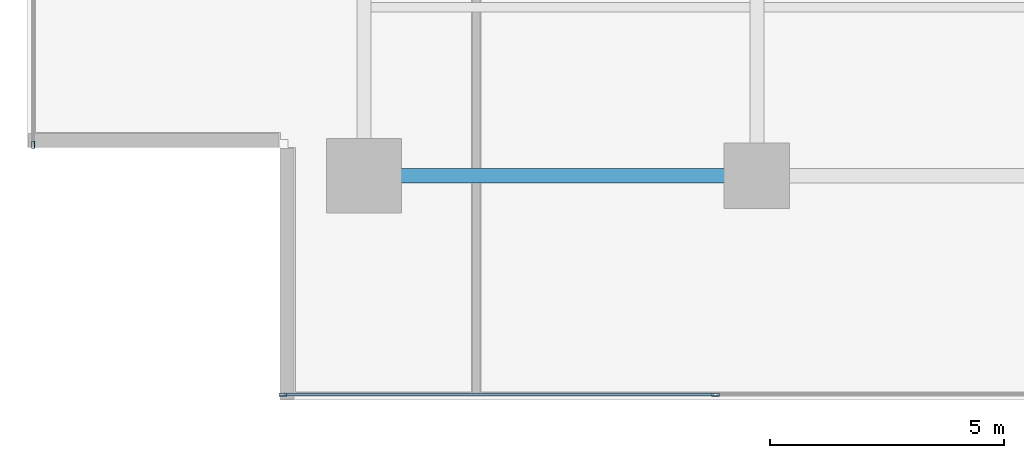
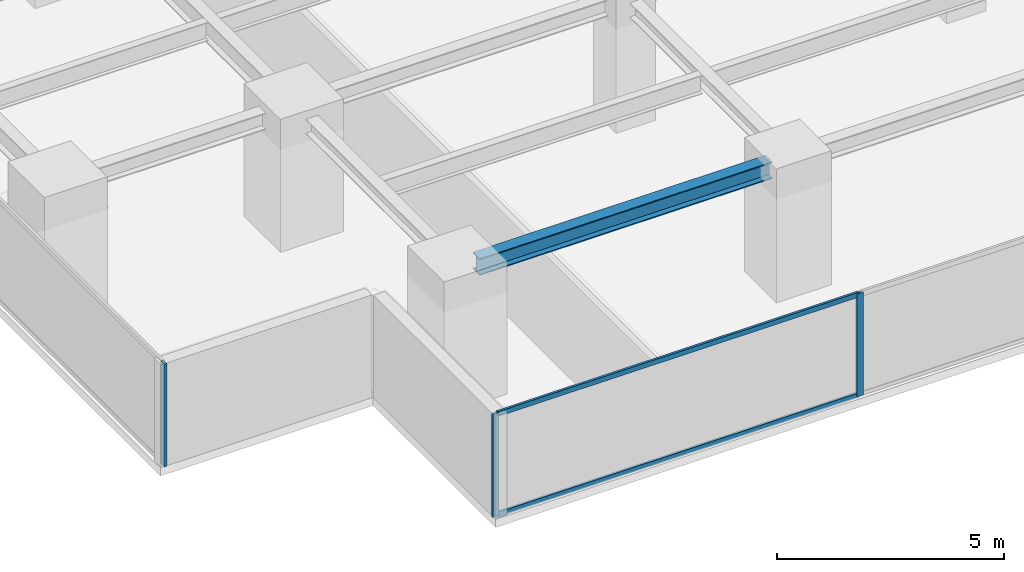
# One storey, part 2 of 27: 5 members, 1 beam, 2 elements without a shape of their own.
"""IFC4 building model written with IfcOpenShell, lengths in metres."""

from ifc_helpers import new_model, si_unit, direction, frame, origin, origin_2d, place, context, subcontext, project, spatial, hollow_rectangle, i_section, extrude, source, transform, mapped, material, layer, layer_set, material_profile, profile_set, type_object, element, aggregate, save


model = new_model("IFC4")

# Units and contexts
model_context = context("Model", 3, precision=1e-05, world=origin(), true_north=direction((0.0, 1.0)))
body_context = subcontext(model_context, "Body", "Model", "MODEL_VIEW")
ifc_project = project(units=[si_unit("LENGTHUNIT", "METRE"), si_unit("AREAUNIT", "SQUARE_METRE"), si_unit("VOLUMEUNIT", "CUBIC_METRE"), si_unit("PLANEANGLEUNIT", "RADIAN"), si_unit("MASSUNIT", "GRAM", prefix="KILO")], contexts=[model_context])

# Site, building, storey
site_placement = place(None, origin())
site = spatial("IfcSite", under=ifc_project, at=site_placement, CompositionType="ELEMENT")
building_placement = place(site_placement, origin())
building = spatial("IfcBuilding", under=site, at=building_placement, Name="Sumidabori Civic Tower", CompositionType="ELEMENT")
storey_placement = place(building_placement, frame((0.0, 0.0, 156.800048828125)))
storey = spatial("IfcBuildingStorey", under=building, at=storey_placement, Name="L40", CompositionType="ELEMENT", Elevation=156.800048828125)

# Beam
ifc_material_1 = material(Name="Steel SN490", Category="steel")
ifc_material_profile_1 = material_profile(ifc_material_1, i_section(OverallWidth=0.300048828125, OverallDepth=0.449951171875, WebThickness=0.013916015625, FlangeThickness=0.02587890625, at=origin_2d()), Name="HE 450 B")
ifc_profile_set_1 = profile_set([ifc_material_profile_1], Name="Steel SN490")
beam_type = type_object("IfcBeamType", Name="BM-GIRD-450", PredefinedType="BEAM", material=ifc_profile_set_1)
shared_shape_1 = source(origin(), body_context, "Body", "SweptSolid", [
    extrude(i_section(OverallWidth=0.300048828125, OverallDepth=0.449951171875, WebThickness=0.013916015625, FlangeThickness=0.02587890625, at=origin_2d()), origin(), (0.0, 0.0, 1.0), 7.440185546875),
])
beam_placement = place(storey_placement, frame((-16.320068359375, -18.0, 3.155029296875), z_axis=(1.0, 0.0, 0.0), x_axis=(0.0, 1.0, 0.0)))
element("IfcBeam", 1, at=beam_placement, inside=storey, type_object=beam_type, Name="Primary Girder L40 GX-01", PredefinedType="BEAM", context=body_context, shape_type="MappedRepresentation", body=[
    mapped(shared_shape_1, transform((0.0, 0.0, 0.0), x_axis=(1.0, 0.0, 0.0), y_axis=(0.0, 1.0, 0.0), z_axis=(0.0, 0.0, 1.0), scale=1.0)),
])

# Curtain wall, members
ifc_material_2 = material(Name="Anodised Bronze Aluminium AW-6063-T6", Category="aluminium")
ifc_layer = layer(ifc_material_2, 0.179931640625, Name="Anodised Bronze Aluminium AW-6063-T6")
ifc_layer_set = layer_set([ifc_layer], Name="Anodised Bronze Aluminium AW-6063-T6")
curtain_wall_type = type_object("IfcCurtainWallType", Name="CW-SYS-3", PredefinedType="NOTDEFINED", material=ifc_layer_set)
curtain_wall_1_placement = place(storey_placement, origin())
curtain_wall_1 = element("IfcCurtainWall", 2, at=curtain_wall_1_placement, inside=storey, type_object=curtain_wall_type, Name="Curtain Wall CW:L40:R01", PredefinedType="NOTDEFINED")
ifc_material_profile_2 = material_profile(ifc_material_2, hollow_rectangle(XDim=0.06494140625, YDim=0.159912109375, WallThickness=0.0048828125, at=origin_2d()), Name="ALU MULLION 160x65")
ifc_profile_set_2 = profile_set([ifc_material_profile_2], Name="Anodised Bronze Aluminium AW-6063-T6")
member_type_1 = type_object("IfcMemberType", Name="CW-MUL-160", PredefinedType="MULLION", material=ifc_profile_set_2)
shared_shape_2 = source(origin(), body_context, "Body", "SweptSolid", [
    extrude(hollow_rectangle(XDim=0.06494140625, YDim=0.159912109375, WallThickness=0.0048828125, at=origin_2d()), origin(), (0.0, 0.0, 1.0), 2.760009765625),
])
member_1_placement = place(storey_placement, frame((-18.53759765625, -22.679931640625, 0.0), z_axis=(0.0, 0.0, 1.0), x_axis=(0.0, 1.0, 0.0)))
member_1 = element("IfcMember", 3, at=member_1_placement, type_object=member_type_1, Name="CW-3 mullion 1", PredefinedType="MULLION", context=body_context, shape_type="MappedRepresentation", body=[
    mapped(shared_shape_2, transform((0.0, 0.0, 0.0), x_axis=(1.0, 0.0, 0.0), y_axis=(0.0, 1.0, 0.0), z_axis=(0.0, 0.0, 1.0), scale=1.0)),
])
member_2_placement = place(storey_placement, frame((-9.284912109375, -22.679931640625, 0.0), z_axis=(0.0, 0.0, 1.0), x_axis=(0.0, 1.0, 0.0)))
member_2 = element("IfcMember", 4, at=member_2_placement, type_object=member_type_1, Name="CW-3 mullion 2", PredefinedType="MULLION", context=body_context, shape_type="MappedRepresentation", body=[
    mapped(shared_shape_2, transform((0.0, 0.0, 0.0), x_axis=(1.0, 0.0, 0.0), y_axis=(0.0, 1.0, 0.0), z_axis=(0.0, 0.0, 1.0), scale=1.0)),
])

# Curtain wall, member
curtain_wall_2_placement = place(storey_placement, origin())
curtain_wall_2 = element("IfcCurtainWall", 5, at=curtain_wall_2_placement, inside=storey, type_object=curtain_wall_type, Name="Curtain Wall CW:L40:R10", PredefinedType="NOTDEFINED")
member_3_placement = place(storey_placement, frame((-23.8798828125, -17.33740234375, 0.0), z_axis=(0.0, 0.0, 1.0), x_axis=(1.0, 0.0, 0.0)))
member_3 = element("IfcMember", 6, at=member_3_placement, type_object=member_type_1, Name="CW-3 mullion 5", PredefinedType="MULLION", context=body_context, shape_type="MappedRepresentation", body=[
    mapped(shared_shape_2, transform((0.0, 0.0, 0.0), x_axis=(1.0, 0.0, 0.0), y_axis=(0.0, 1.0, 0.0), z_axis=(0.0, 0.0, 1.0), scale=1.0)),
])
aggregate(curtain_wall_2, [member_3])

# Member
ifc_material_profile_3 = material_profile(ifc_material_2, hollow_rectangle(XDim=0.06005859375, YDim=0.1298828125, WallThickness=0.0048828125, at=origin_2d()), Name="ALU TRANSOM 130x60")
ifc_profile_set_3 = profile_set([ifc_material_profile_3], Name="Anodised Bronze Aluminium AW-6063-T6")
member_type_2 = type_object("IfcMemberType", Name="CW-TRN-130", PredefinedType="USERDEFINED", material=ifc_profile_set_3)
shared_shape_3 = source(origin(), body_context, "Body", "SweptSolid", [
    extrude(hollow_rectangle(XDim=0.06005859375, YDim=0.1298828125, WallThickness=0.0048828125, at=origin_2d()), origin(), (0.0, 0.0, 1.0), 9.1875),
])
member_4_placement = place(storey_placement, frame((-18.5048828125, -22.679931640625, 0.030029296875), z_axis=(1.0, 0.0, 0.0), x_axis=(0.0, 1.0, 0.0)))
member_4 = element("IfcMember", 7, at=member_4_placement, type_object=member_type_2, Name="CW-3 transom 1.1", ObjectType="TRANSOM", PredefinedType="USERDEFINED", context=body_context, shape_type="MappedRepresentation", body=[
    mapped(shared_shape_3, transform((0.0, 0.0, 0.0), x_axis=(1.0, 0.0, 0.0), y_axis=(0.0, 1.0, 0.0), z_axis=(0.0, 0.0, 1.0), scale=1.0)),
])

member_5_placement = place(storey_placement, frame((-18.5048828125, -22.679931640625, 2.72998046875), z_axis=(1.0, 0.0, 0.0), x_axis=(0.0, 1.0, 0.0)))
member_5 = element("IfcMember", 8, at=member_5_placement, type_object=member_type_2, Name="CW-3 transom 1.2", ObjectType="TRANSOM", PredefinedType="USERDEFINED", context=body_context, shape_type="MappedRepresentation", body=[
    mapped(shared_shape_3, transform((0.0, 0.0, 0.0), x_axis=(1.0, 0.0, 0.0), y_axis=(0.0, 1.0, 0.0), z_axis=(0.0, 0.0, 1.0), scale=1.0)),
])

aggregate(curtain_wall_1, [member_1, member_2, member_4, member_5])

save(model, "model.ifc")
